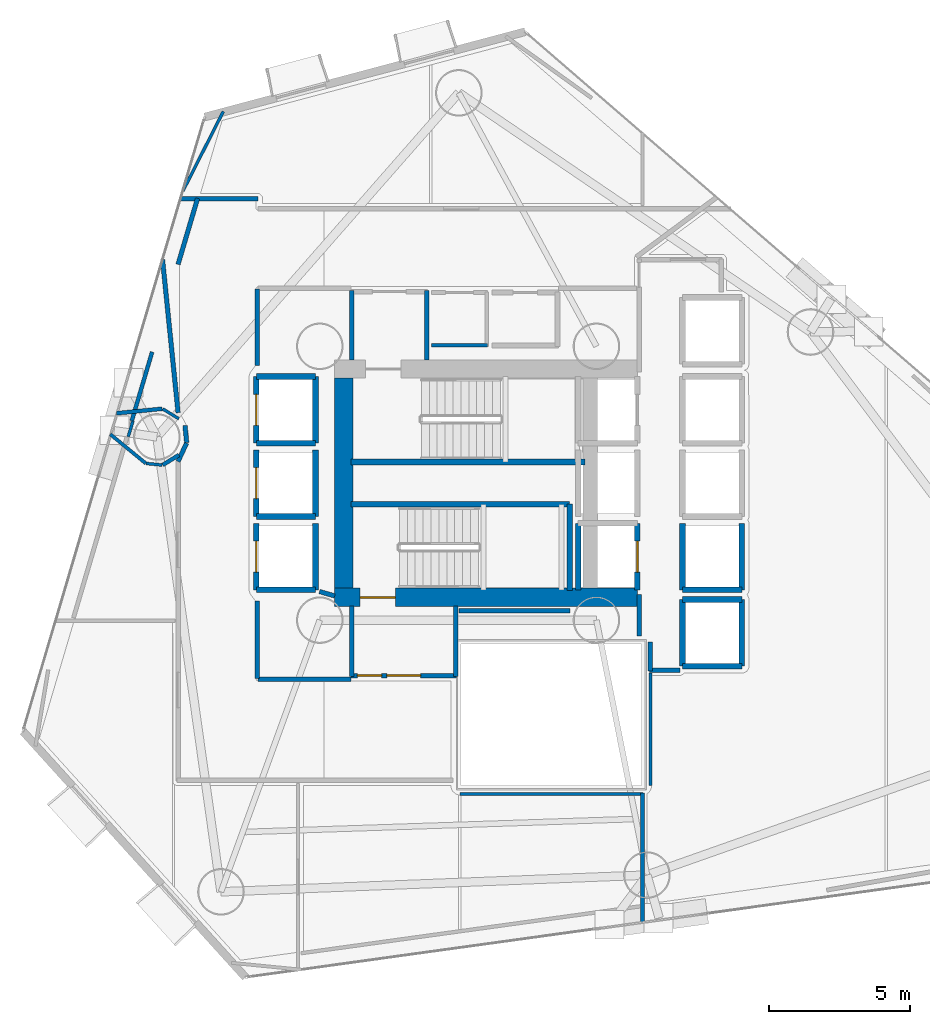
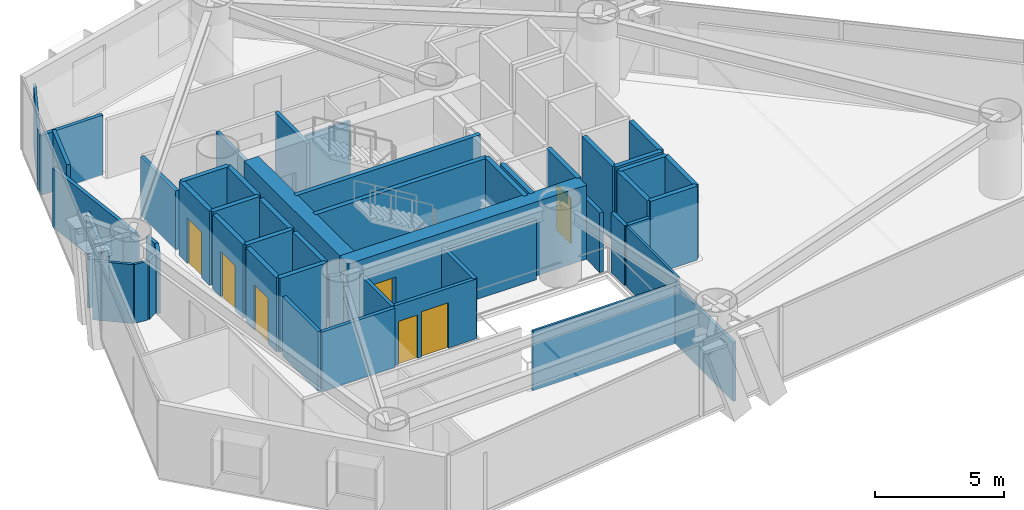
# One storey, part 17 of 23: 54 walls, 7 doors, 7 openings.
"""IFC4 building model written with IfcOpenShell, lengths in metres."""

import ifcopenshell
import ifcopenshell.guid

model = None  # the IFC model being written
_history = None  # IfcOwnerHistory: only IFC2X3 demands one
_inside = {}  # id of a spatial element -> (the spatial element, [elements in it])
_under = {}  # id of a project, library or spatial element -> (it, [spatial elements below it])
_declared = {}  # id of a project -> (the project, [libraries it declares])
_typed = {}  # id of a type object -> (the type object, [elements of that type])
_made_of = {}  # id of a material, layer set ... -> (it, [elements and type objects made of it])


def new_model(schema):
    """Start an empty IFC model of exactly this schema.

    Asked for "IFC4X3", IfcOpenShell would pick the latest addendum, in which some entities
    have other attributes; the version numbers below select the first issue.
    IFC2X3 requires an IfcOwnerHistory on every rooted entity: one is made here for all.
    """
    global model, _history
    if schema == "IFC4X3":
        model = ifcopenshell.file(schema_version=(4, 3, 0, 0))
    else:
        model = ifcopenshell.file(schema=schema)
    _inside.clear()
    _under.clear()
    _declared.clear()
    _typed.clear()
    _made_of.clear()
    _history = None
    if model.schema == "IFC2X3":
        org = make("IfcOrganization", Name="unknown")
        user = make(
            "IfcPersonAndOrganization",
            ThePerson=make("IfcPerson", FamilyName="unknown"),
            TheOrganization=org,
        )
        app = make(
            "IfcApplication",
            ApplicationDeveloper=org,
            Version="unknown",
            ApplicationFullName="unknown",
            ApplicationIdentifier="unknown",
        )
        _history = make(
            "IfcOwnerHistory",
            OwningUser=user,
            OwningApplication=app,
            ChangeAction="ADDED",
            CreationDate=0,
        )
    return model


def make(cls, **values):
    """One entity of the class cls with the attributes given. An attribute that is None is left unset."""
    return model.create_entity(
        cls, **{name: value for name, value in values.items() if value is not None}
    )


def rooted(cls, **values):
    """An entity with a GlobalId (a new one), such as an element, a storey or a relation."""
    return make(cls, GlobalId=ifcopenshell.guid.new(), OwnerHistory=_history, **values)


def si_unit(unit_type, name, prefix=None):
    """IfcSIUnit, for example si_unit("LENGTHUNIT", "METRE", prefix="MILLI")."""
    return make("IfcSIUnit", UnitType=unit_type, Prefix=prefix, Name=name)


def assignment(units):
    """IfcUnitAssignment: the units of a project."""
    return None if units is None else make("IfcUnitAssignment", Units=units)


def point(xyz):
    """IfcCartesianPoint."""
    return None if xyz is None else make("IfcCartesianPoint", Coordinates=xyz)


def direction(xyz):
    """IfcDirection."""
    return None if xyz is None else make("IfcDirection", DirectionRatios=xyz)


def frame(location, z_axis=None, x_axis=None):
    """IfcAxis2Placement3D, a coordinate frame: its origin and axes. An axis left out is left unset."""
    return make(
        "IfcAxis2Placement3D",
        Location=point(location),
        Axis=direction(z_axis),
        RefDirection=direction(x_axis),
    )


def frame_2d(location, x_axis=None):
    """IfcAxis2Placement2D, a coordinate frame in the plane: its origin and x axis."""
    return make(
        "IfcAxis2Placement2D", Location=point(location), RefDirection=direction(x_axis)
    )


def origin():
    """The frame at (0, 0, 0) with its axes left unset."""
    return frame((0.0, 0.0, 0.0))


def place(relative_to, where):
    """IfcLocalPlacement: puts the frame where relative to a parent placement (None: the world)."""
    return make(
        "IfcLocalPlacement", PlacementRelTo=relative_to, RelativePlacement=where
    )


def context(
    kind, dimensions, precision=None, world=None, true_north=None, identifier=None
):
    """IfcGeometricRepresentationContext, for example the 3D "Model" context."""
    return make(
        "IfcGeometricRepresentationContext",
        ContextIdentifier=identifier,
        ContextType=kind,
        CoordinateSpaceDimension=dimensions,
        Precision=precision,
        WorldCoordinateSystem=world,
        TrueNorth=true_north,
    )


def subcontext(parent, identifier, kind, view, scale=None):
    """IfcGeometricRepresentationSubContext, for example "Body" below "Model"."""
    return make(
        "IfcGeometricRepresentationSubContext",
        ContextIdentifier=identifier,
        ContextType=kind,
        ParentContext=parent,
        TargetScale=scale,
        TargetView=view,
    )


def project(units=None, contexts=None):
    """IfcProject with its units and contexts."""
    return rooted(
        "IfcProject",
        Name="project",
        RepresentationContexts=contexts,
        UnitsInContext=assignment(units),
    )


def spatial(cls, under=None, at=None, **own):
    """A site, building, storey or space (cls), placed at a placement, below another one or the project."""
    s = rooted(cls, ObjectPlacement=at, **own)
    if under is not None:
        _under.setdefault(under.id(), (under, []))[1].append(s)
    return s


def profile(cls, at=None, kind="AREA", **sizes):
    """A parametric profile (cls). Its sizes go by their IFC names, for example OverallWidth=200.0."""
    return make(cls, ProfileType=kind, Position=at, **sizes)


def rectangle(**sizes):
    """IfcRectangleProfileDef."""
    return profile("IfcRectangleProfileDef", **sizes)


def extrude(swept, where, along, depth):
    """IfcExtrudedAreaSolid: the profile swept, set in the frame where, extruded along a direction by depth."""
    return make(
        "IfcExtrudedAreaSolid",
        SweptArea=swept,
        Position=where,
        ExtrudedDirection=direction(along),
        Depth=depth,
    )


def shape(context_of_items, identifier, shape_type, items):
    """IfcShapeRepresentation: the items that make up one representation, for example the "Body"."""
    return make(
        "IfcShapeRepresentation",
        ContextOfItems=context_of_items,
        RepresentationIdentifier=identifier,
        RepresentationType=shape_type,
        Items=items,
    )


def material(Name=None, Category=None):
    """IfcMaterial."""
    return make("IfcMaterial", Name=Name, Category=Category)


def layer(
    of_material, thickness, ventilated=None, Name=None, Category=None, Priority=None
):
    """IfcMaterialLayer: one layer of a wall or slab, of a material (None: an air gap)."""
    return make(
        "IfcMaterialLayer",
        Material=of_material,
        LayerThickness=thickness,
        IsVentilated=ventilated,
        Name=Name,
        Category=Category,
        Priority=Priority,
    )


def layer_set(layers, Name=None):
    """IfcMaterialLayerSet."""
    return make("IfcMaterialLayerSet", MaterialLayers=layers, LayerSetName=Name)


def made_of(thing, what):
    """Note that an element or type object is made of a material, layer set ...; save() writes the relation."""
    if what is not None:
        _made_of.setdefault(what.id(), (what, []))[1].append(thing)
    return thing


def type_object(cls, material=None, **own):
    """A type object (cls), such as IfcWallType, which elements share."""
    return made_of(rooted(cls, **own), material)


def element(
    cls,
    number,
    at=None,
    inside=None,
    cuts=None,
    type_object=None,
    material=None,
    context=None,
    identifier="Body",
    shape_type=None,
    held_by="IfcProductDefinitionShape",
    body=None,
    shapes=None,
    **own,
):
    """One element of the class cls, such as IfcWall. Its Tag is "e" and its number.

    at: its placement. inside: the storey or other place that contains it. cuts: it is an
    opening in that element (IfcRelVoidsElement). A single representation is given by context,
    identifier, shape_type and body (its items); several are given by shapes. held_by: the class
    of the entity that holds the representations. save() writes the other relations.
    """
    e = rooted(cls, Tag="e%d" % number, ObjectPlacement=at, **own)
    if body is not None:
        shapes = [shape(context, identifier, shape_type, body)]
    if shapes is not None:
        e.Representation = make(held_by, Representations=shapes)
    if inside is not None:
        _inside.setdefault(inside.id(), (inside, []))[1].append(e)
    if cuts is not None:
        rooted(
            "IfcRelVoidsElement", RelatingBuildingElement=cuts, RelatedOpeningElement=e
        )
    if type_object is not None:
        _typed.setdefault(type_object.id(), (type_object, []))[1].append(e)
    return made_of(e, material)


def fill(opening, filler):
    """IfcRelFillsElement: the door or window that sits in an opening."""
    return rooted(
        "IfcRelFillsElement",
        RelatingOpeningElement=opening,
        RelatedBuildingElement=filler,
    )


def aggregate(whole, parts):
    """IfcRelAggregates: a whole, such as a stair, and the parts it consists of."""
    return rooted("IfcRelAggregates", RelatingObject=whole, RelatedObjects=parts)


def save(model, path):
    """Write the relations noted so far, then the file.

    IfcRelAggregates (storeys below a building ...), IfcRelContainedInSpatialStructure (elements
    in a storey), IfcRelDefinesByType, IfcRelAssociatesMaterial and IfcRelDeclares: one each for
    every whole, place, type object, material and project.
    """
    for whole, parts in _under.values():
        aggregate(whole, parts)
    for where, things in _inside.values():
        rooted(
            "IfcRelContainedInSpatialStructure",
            RelatedElements=things,
            RelatingStructure=where,
        )
    for kind, things in _typed.values():
        rooted("IfcRelDefinesByType", RelatedObjects=things, RelatingType=kind)
    for what, things in _made_of.values():
        rooted("IfcRelAssociatesMaterial", RelatedObjects=things, RelatingMaterial=what)
    for by, libraries in _declared.values():
        rooted("IfcRelDeclares", RelatingContext=by, RelatedDefinitions=libraries)
    model.write(path)


model = new_model("IFC4")

# Units and contexts
model_context = context("Model", 3, precision=1e-05, world=origin(), true_north=direction((0.0, 1.0)))
body_context = subcontext(model_context, "Body", "Model", "MODEL_VIEW")
ifc_project = project(units=[si_unit("LENGTHUNIT", "METRE"), si_unit("AREAUNIT", "SQUARE_METRE"), si_unit("VOLUMEUNIT", "CUBIC_METRE"), si_unit("PLANEANGLEUNIT", "RADIAN"), si_unit("MASSUNIT", "GRAM", prefix="KILO")], contexts=[model_context])

# Site, building, storey
site_placement = place(None, origin())
site = spatial("IfcSite", under=ifc_project, at=site_placement, CompositionType="ELEMENT")
building_placement = place(site_placement, origin())
building = spatial("IfcBuilding", under=site, at=building_placement, Name="Qianvela Tower", CompositionType="ELEMENT")
storey_placement = place(building_placement, frame((0.0, 0.0, 74.699951171875)))
storey = spatial("IfcBuildingStorey", under=building, at=storey_placement, Name="L18", CompositionType="ELEMENT", Elevation=74.699951171875)

# Wall, opening, door
ifc_material_1 = material(Name="Concrete C60", Category="concrete")
ifc_layer_1 = layer(ifc_material_1, 0.64990234375)
ifc_layer_set_1 = layer_set([ifc_layer_1], Name="Concrete C60")
wall_type_1 = type_object("IfcWallType", Name="WT-CORE-650", PredefinedType="SHEAR", material=ifc_layer_set_1)
wall_1_placement = place(storey_placement, frame((29.1298828125, 24.655029296875, 0.0), z_axis=(0.0, 0.0, 1.0), x_axis=(1.0, 0.0, 0.0)))
wall_1 = element("IfcWall", 1, at=wall_1_placement, inside=storey, type_object=wall_type_1, Name="L18 South Core Shear Wall", PredefinedType="SHEAR", context=body_context, shape_type="SweptSolid", body=[
    extrude(rectangle(XDim=10.72021484375, YDim=0.64990234375, at=frame_2d((5.360107421875, 0.0))), origin(), (0.0, 0.0, 1.0), 3.52001953125),
])
opening_1_placement = place(wall_1_placement, frame((0.89501953125, 0.0, 0.0)))
opening_1 = element("IfcOpeningElement", 2, at=opening_1_placement, cuts=wall_1, Name="Opening D-ST1", PredefinedType="OPENING", context=body_context, shape_type="SweptSolid", body=[
    extrude(rectangle(XDim=1.25, YDim=2.14990234375, at=frame_2d((0.625, 1.074951171875))), frame((0.0, 0.3349609375, 0.0), z_axis=(0.0, -1.0, 0.0), x_axis=(1.0, 0.0, 0.0)), (0.0, 0.0, 1.0), 0.669921875),
])
ifc_material_2 = material(Name="Galvanised Fire Steel Q355B", Category="steel")
door_type_1 = type_object("IfcDoorType", Name="DT-STAIR-FD90", OperationType="NOTDEFINED", PredefinedType="DOOR", material=ifc_material_2)
door_1_placement = place(opening_1_placement, origin())
door_1 = element("IfcDoor", 3, at=door_1_placement, inside=storey, type_object=door_type_1, Name="L18 Stair ST-2 Exit Door", OperationType="SINGLE_SWING_RIGHT", OverallHeight=2.14990234375, OverallWidth=1.25, PredefinedType="DOOR", context=body_context, shape_type="SweptSolid", body=[
    extrude(rectangle(XDim=1.25, YDim=2.14990234375, at=frame_2d((0.625, 1.074951171875))), frame((0.0, 0.02490234375, 0.0), z_axis=(0.0, -1.0, 0.0), x_axis=(1.0, 0.0, 0.0)), (0.0, 0.0, 1.0), 0.050048828125),
])
fill(opening_1, door_1)

# Walls
wall_2_placement = place(storey_placement, frame((29.455078125, 24.97998046875, 0.0), z_axis=(0.0, 0.0, 1.0), x_axis=(0.0, 1.0, 0.0)))
element("IfcWall", 4, at=wall_2_placement, inside=storey, type_object=wall_type_1, Name="L18 West Core Shear Wall", PredefinedType="SHEAR", context=body_context, shape_type="SweptSolid", body=[
    extrude(rectangle(XDim=7.43994140625, YDim=0.64990234375, at=frame_2d((3.719970703125, 0.0))), origin(), (0.0, 0.0, 1.0), 3.52001953125),
])
ifc_material_3 = material(Name="Fire-Rated Gypsum and Concrete Block", Category="concrete")
ifc_layer_2 = layer(ifc_material_3, 0.159912109375)
ifc_layer_set_2 = layer_set([ifc_layer_2], Name="Fire-Rated Gypsum and Concrete Block")
wall_type_2 = type_object("IfcWallType", Name="WT-CORR-160", PredefinedType="PARTITIONING", material=ifc_layer_set_2)
for number, where, z_axis, x_axis, name in (
    (5, (29.73095703125, 33.05810546875, 0.0), (0.0, 0.0, 1.0), (0.0, 1.0, 0.0), "L18 Partition 2"),
    (6, (32.388916015625, 35.52001953125, 0.0), (0.0, 0.0, 1.0), (0.0, -1.0, 0.0), "L18 Partition 4"),
):
    element("IfcWall", number, at=place(storey_placement, frame(where, z_axis=z_axis, x_axis=x_axis)), inside=storey, type_object=wall_type_2, Name=name, PredefinedType="PARTITIONING", context=body_context, shape_type="SweptSolid", body=[
        extrude(rectangle(XDim=2.4619140625, YDim=0.159912109375, at=frame_2d((1.23095703125, 0.0))), origin(), (0.0, 0.0, 1.0), 2.840087890625),
    ])

# Wall, openings, doors
wall_3_placement = place(storey_placement, frame((33.449951171875, 21.881103515625, 0.0), z_axis=(0.0, 0.0, 1.0), x_axis=(-1.0, 0.0, 0.0)))
wall_3 = element("IfcWall", 7, at=wall_3_placement, inside=storey, type_object=wall_type_2, Name="L18 Partition 5", PredefinedType="PARTITIONING", context=body_context, shape_type="SweptSolid", body=[
    extrude(rectangle(XDim=3.75, YDim=0.159912109375, at=frame_2d((1.875, 0.0))), origin(), (0.0, 0.0, 1.0), 2.840087890625),
])
opening_2_placement = place(wall_3_placement, frame((1.27490234375, 0.0, 0.0)))
opening_2 = element("IfcOpeningElement", 8, at=opening_2_placement, cuts=wall_3, Name="Opening D-LB1", PredefinedType="OPENING", context=body_context, shape_type="SweptSolid", body=[
    extrude(rectangle(XDim=1.199951171875, YDim=2.14990234375, at=frame_2d((0.60009765625, 1.074951171875))), frame((0.0, 0.08984375, 0.0), z_axis=(0.0, -1.0, 0.0), x_axis=(1.0, 0.0, 0.0)), (0.0, 0.0, 1.0), 0.179931640625),
])
opening_3_placement = place(wall_3_placement, frame((2.659912109375, 0.0, 0.0)))
opening_3 = element("IfcOpeningElement", 9, at=opening_3_placement, cuts=wall_3, Name="Opening D-LB2", PredefinedType="OPENING", context=body_context, shape_type="SweptSolid", body=[
    extrude(rectangle(XDim=0.860107421875, YDim=2.050048828125, at=frame_2d((0.43017578125, 1.02490234375))), frame((0.0, 0.08984375, 0.0), z_axis=(0.0, -1.0, 0.0), x_axis=(1.0, 0.0, 0.0)), (0.0, 0.0, 1.0), 0.179931640625),
])
ifc_material_4 = material(Name="Glazed Fire-Rated Steel Frame", Category="steel")
door_type_2 = type_object("IfcDoorType", Name="DT-LOBBY-FD90", OperationType="NOTDEFINED", PredefinedType="DOOR", material=ifc_material_4)
door_2_placement = place(opening_2_placement, origin())
door_2 = element("IfcDoor", 10, at=door_2_placement, inside=storey, type_object=door_type_2, Name="L18 Door L18 Firefighting Lobby South to L18 Floor Corridor", OperationType="SINGLE_SWING_LEFT", OverallHeight=2.14990234375, OverallWidth=1.199951171875, PredefinedType="DOOR", context=body_context, shape_type="SweptSolid", body=[
    extrude(rectangle(XDim=1.199951171875, YDim=2.14990234375, at=frame_2d((0.60009765625, 1.074951171875))), frame((0.0, 0.02490234375, 0.0), z_axis=(0.0, -1.0, 0.0), x_axis=(1.0, 0.0, 0.0)), (0.0, 0.0, 1.0), 0.050048828125),
])
fill(opening_2, door_2)
ifc_material_5 = material(Name="Insulated Steel Fire Door Q355B", Category="steel")
door_type_3 = type_object("IfcDoorType", Name="DT-LOBBY-FD90-860", OperationType="NOTDEFINED", PredefinedType="DOOR", material=ifc_material_5)
door_3_placement = place(opening_3_placement, origin())
door_3 = element("IfcDoor", 11, at=door_3_placement, inside=storey, type_object=door_type_3, Name="L18 Door L18 Firefighting Lobby South to L18 Floor Corridor", OperationType="SINGLE_SWING_LEFT", OverallHeight=2.050048828125, OverallWidth=0.860107421875, PredefinedType="DOOR", context=body_context, shape_type="SweptSolid", body=[
    extrude(rectangle(XDim=0.860107421875, YDim=2.050048828125, at=frame_2d((0.43017578125, 1.02490234375))), frame((0.0, 0.02490234375, 0.0), z_axis=(0.0, -1.0, 0.0), x_axis=(1.0, 0.0, 0.0)), (0.0, 0.0, 1.0), 0.050048828125),
])
fill(opening_3, door_3)

# Walls
for number, where, z_axis, x_axis, name in (
    (12, (29.73095703125, 21.85009765625, 0.0), (0.0, 0.0, 1.0), (0.0, 1.0, 0.0), "L18 Partition 6"),
    (13, (33.4189453125, 24.342041015625, 0.0), (0.0, 0.0, 1.0), (0.0, -1.0, 0.0), "L18 Partition 8"),
):
    element("IfcWall", number, at=place(storey_placement, frame(where, z_axis=z_axis, x_axis=x_axis)), inside=storey, type_object=wall_type_2, Name=name, PredefinedType="PARTITIONING", context=body_context, shape_type="SweptSolid", body=[
        extrude(rectangle(XDim=2.491943359375, YDim=0.159912109375, at=frame_2d((1.24609375, 0.0))), origin(), (0.0, 0.0, 1.0), 2.840087890625),
    ])
wall_4_placement = place(storey_placement, frame((41.360107421875, 22.0810546875, 0.0), z_axis=(0.0, 0.0, 1.0), x_axis=(-1.0, 0.0, 0.0)))
element("IfcWall", 14, at=wall_4_placement, inside=storey, type_object=wall_type_2, Name="L18 Partition 15", PredefinedType="PARTITIONING", context=body_context, shape_type="SweptSolid", body=[
    extrude(rectangle(XDim=1.080078125, YDim=0.159912109375, at=frame_2d((0.5400390625, 0.0))), origin(), (0.0, 0.0, 1.0), 2.840087890625),
])
wall_5_placement = place(storey_placement, frame((40.31103515625, 22.05029296875, 0.0), z_axis=(0.0, 0.0, 1.0), x_axis=(-0.011836292006, 0.999929948642, 0.0)))
element("IfcWall", 15, at=wall_5_placement, inside=storey, type_object=wall_type_2, Name="L18 Partition 16", PredefinedType="PARTITIONING", context=body_context, shape_type="SweptSolid", body=[
    extrude(rectangle(XDim=1.03125, YDim=0.159912109375, at=frame_2d((0.515625, 0.0))), origin(), (0.0, 0.0, 1.0), 2.840087890625),
])
wall_6_placement = place(storey_placement, frame((39.910888671875, 23.27978515625, 0.0), z_axis=(0.0, 0.0, 1.0), x_axis=(0.009397771291, 0.999955839972, 0.0)))
element("IfcWall", 16, at=wall_6_placement, inside=storey, type_object=wall_type_2, Name="L18 Partition 17", PredefinedType="PARTITIONING", context=body_context, shape_type="SweptSolid", body=[
    extrude(rectangle(XDim=1.480712890625, YDim=0.159912109375, at=frame_2d((0.740234375, 0.0))), origin(), (0.0, 0.0, 1.0), 2.840087890625),
])
wall_7_placement = place(storey_placement, frame((29.1298828125, 24.706298828125, 0.0), z_axis=(0.0, 0.0, 1.0), x_axis=(-0.960451214223, 0.278448316742, 0.0)))
element("IfcWall", 17, at=wall_7_placement, inside=storey, type_object=wall_type_2, Name="L18 Partition 31", PredefinedType="PARTITIONING", context=body_context, shape_type="SweptSolid", body=[
    extrude(rectangle(XDim=0.56201171875, YDim=0.159912109375, at=frame_2d((0.281005859375, 0.0))), origin(), (0.0, 0.0, 1.0), 2.840087890625),
])
wall_8_placement = place(storey_placement, frame((37.466552734375, 24.180908203125, 0.0), z_axis=(0.0, 0.0, 1.0), x_axis=(-1.0, 0.0, 0.0)))
element("IfcWall", 18, at=wall_8_placement, inside=storey, type_object=wall_type_2, Name="L18 Partition 38", PredefinedType="PARTITIONING", context=body_context, shape_type="SweptSolid", body=[
    extrude(rectangle(XDim=3.9365234375, YDim=0.159912109375, at=frame_2d((1.96826171875, 0.0))), origin(), (0.0, 0.0, 1.0), 2.840087890625),
])
wall_9_placement = place(storey_placement, frame((23.5810546875, 31.197265625, 0.0), z_axis=(0.0, 0.0, 1.0), x_axis=(-0.101076980701, 0.994878607656, 0.0)))
element("IfcWall", 19, at=wall_9_placement, inside=storey, type_object=wall_type_2, Name="L18 Partition 39", PredefinedType="PARTITIONING", context=body_context, shape_type="SweptSolid", body=[
    extrude(rectangle(XDim=5.453857421875, YDim=0.159912109375, at=frame_2d((2.72705078125, 0.0))), origin(), (0.0, 0.0, 1.0), 2.798095703125),
])
wall_10_placement = place(storey_placement, frame((23.57958984375, 36.45166015625, 0.0), z_axis=(0.0, 0.0, 1.0), x_axis=(0.283774880496, 0.958890930815, 0.0)))
element("IfcWall", 20, at=wall_10_placement, inside=storey, type_object=wall_type_2, Name="L18 Partition 40", PredefinedType="PARTITIONING", context=body_context, shape_type="SweptSolid", body=[
    extrude(rectangle(XDim=2.43994140625, YDim=0.159912109375, at=frame_2d((1.219970703125, 0.0))), origin(), (0.0, 0.0, 1.0), 2.840087890625),
])
wall_11_placement = place(storey_placement, frame((23.64453125, 38.76904296875, 0.0), z_axis=(0.0, 0.0, 1.0), x_axis=(1.0, 0.0, 0.0)))
element("IfcWall", 21, at=wall_11_placement, inside=storey, type_object=wall_type_2, Name="L18 Partition 41", PredefinedType="PARTITIONING", context=body_context, shape_type="SweptSolid", body=[
    extrude(rectangle(XDim=2.775390625, YDim=0.159912109375, at=frame_2d((1.3876953125, 0.0))), origin(), (0.0, 0.0, 1.0), 2.840087890625),
])
wall_12_placement = place(storey_placement, frame((26.388916015625, 35.580078125, 0.0), z_axis=(0.0, 0.0, 1.0), x_axis=(0.0, -1.0, 0.0)))
element("IfcWall", 22, at=wall_12_placement, inside=storey, type_object=wall_type_2, Name="L18 Partition 46", PredefinedType="PARTITIONING", context=body_context, shape_type="SweptSolid", body=[
    extrude(rectangle(XDim=2.71044921875, YDim=0.159912109375, at=frame_2d((1.355224609375, 0.0))), origin(), (0.0, 0.0, 1.0), 2.798095703125),
])
wall_13_placement = place(storey_placement, frame((26.388916015625, 24.530517578125, 0.0), z_axis=(0.0, 0.0, 1.0), x_axis=(0.0, -1.0, 0.0)))
element("IfcWall", 23, at=wall_13_placement, inside=storey, type_object=wall_type_2, Name="L18 Partition 48", PredefinedType="PARTITIONING", context=body_context, shape_type="SweptSolid", body=[
    extrude(rectangle(XDim=2.75048828125, YDim=0.159912109375, at=frame_2d((1.375244140625, 0.0))), origin(), (0.0, 0.0, 1.0), 2.840087890625),
])
wall_14_placement = place(storey_placement, frame((26.419921875, 21.7490234375, 0.0), z_axis=(0.0, 0.0, 1.0), x_axis=(1.0, 0.0, 0.0)))
element("IfcWall", 24, at=wall_14_placement, inside=storey, type_object=wall_type_2, Name="L18 Partition 49 seg 1", PredefinedType="PARTITIONING", context=body_context, shape_type="SweptSolid", body=[
    extrude(rectangle(XDim=3.280029296875, YDim=0.159912109375, at=frame_2d((1.64013671875, 0.0))), origin(), (0.0, 0.0, 1.0), 2.840087890625),
])
wall_15_placement = place(storey_placement, frame((23.578125, 29.4697265625, 0.0), z_axis=(0.0, 0.0, 1.0), x_axis=(0.421827918194, 0.906675910914, 0.0)))
element("IfcWall", 25, at=wall_15_placement, inside=storey, type_object=wall_type_2, Name="L18 Partition 52", PredefinedType="PARTITIONING", context=body_context, shape_type="SweptSolid", body=[
    extrude(rectangle(XDim=0.720458984375, YDim=0.159912109375, at=frame_2d((0.3603515625, 0.0))), origin(), (0.0, 0.0, 1.0), 2.840087890625),
])
wall_16_placement = place(storey_placement, frame((23.884765625, 30.13916015625, 0.0), z_axis=(0.0, 0.0, 1.0), x_axis=(-0.0981888168, 0.995167803064, 0.0)))
element("IfcWall", 26, at=wall_16_placement, inside=storey, type_object=wall_type_2, Name="L18 Partition 53", PredefinedType="PARTITIONING", context=body_context, shape_type="SweptSolid", body=[
    extrude(rectangle(XDim=0.606689453125, YDim=0.159912109375, at=frame_2d((0.30322265625, 0.0))), origin(), (0.0, 0.0, 1.0), 2.840087890625),
])
ifc_material_6 = material(Name="Lightweight Gypsum Room Partition")
ifc_layer_3 = layer(ifc_material_6, 0.10498046875)
ifc_layer_set_3 = layer_set([ifc_layer_3], Name="Lightweight Gypsum Room Partition")
wall_type_3 = type_object("IfcWallType", Name="WT-PART-105", PredefinedType="PARTITIONING", material=ifc_layer_set_3)
wall_17_placement = place(storey_placement, frame((33.572509765625, 17.690185546875, 0.0), z_axis=(0.0, 0.0, 1.0), x_axis=(0.999999687544, 0.000790513587, 0.0)))
element("IfcWall", 27, at=wall_17_placement, inside=storey, type_object=wall_type_3, Name="L18 Partition 61", PredefinedType="PARTITIONING", context=body_context, shape_type="SweptSolid", body=[
    extrude(rectangle(XDim=6.485595703125, YDim=0.10498046875, at=frame_2d((3.24267578125, 0.0))), origin(), (0.0, 0.0, 1.0), 2.840087890625),
])
wall_18_placement = place(storey_placement, frame((40.31103515625, 18.0, 0.0), z_axis=(0.0, 0.0, 1.0), x_axis=(0.0, 1.0, 0.0)))
element("IfcWall", 28, at=wall_18_placement, inside=storey, type_object=wall_type_3, Name="L18 Partition 73 seg 1", PredefinedType="PARTITIONING", context=body_context, shape_type="SweptSolid", body=[
    extrude(rectangle(XDim=3.969970703125, YDim=0.10498046875, at=frame_2d((1.98486328125, 0.0))), origin(), (0.0, 0.0, 1.0), 2.840087890625),
])
wall_19_placement = place(storey_placement, frame((23.7431640625, 39.03466796875, 0.0), z_axis=(0.0, 0.0, 1.0), x_axis=(0.452766588837, 0.891629079849, 0.0)))
element("IfcWall", 29, at=wall_19_placement, inside=storey, type_object=wall_type_3, Name="L18 Partition 85", PredefinedType="PARTITIONING", context=body_context, shape_type="SweptSolid", body=[
    extrude(rectangle(XDim=3.17822265625, YDim=0.10498046875, at=frame_2d((1.589111328125, 0.0))), origin(), (0.0, 0.0, 1.0), 2.840087890625),
])
wall_20_placement = place(storey_placement, frame((23.6083984375, 30.981689453125, 0.0), z_axis=(0.0, 0.0, 1.0), x_axis=(-0.852045812822, 0.523467222328, 0.0)))
element("IfcWall", 30, at=wall_20_placement, inside=storey, type_object=wall_type_3, Name="L18 Partition 88", PredefinedType="PARTITIONING", context=body_context, shape_type="SweptSolid", body=[
    extrude(rectangle(XDim=0.670166015625, YDim=0.10498046875, at=frame_2d((0.3349609375, 0.0))), origin(), (0.0, 0.0, 1.0), 2.798095703125),
])
for number, where, z_axis, x_axis, name in (
    (31, (21.980224609375, 30.896240234375, 0.0), (0.0, 0.0, 1.0), (-0.290362912899, -0.956916599716, 0.0), "L18 Partition 91"),
    (32, (22.448974609375, 29.399169921875, 0.0), (0.0, 0.0, 1.0), (0.995167364461, -0.098193262045, 0.0), "L18 Partition 94"),
):
    element("IfcWall", number, at=place(storey_placement, frame(where, z_axis=z_axis, x_axis=x_axis)), inside=storey, type_object=wall_type_3, Name=name, PredefinedType="PARTITIONING", context=body_context, shape_type="SweptSolid", body=[
        extrude(rectangle(XDim=0.57177734375, YDim=0.10498046875, at=frame_2d((0.285888671875, 0.0))), origin(), (0.0, 0.0, 1.0), 2.798095703125),
    ])
ifc_material_7 = material(Name="Insulated Gypsum Stud Partition")
ifc_layer_4 = layer(ifc_material_7, 0.1201171875)
ifc_layer_set_4 = layer_set([ifc_layer_4], Name="Insulated Gypsum Stud Partition")
wall_type_4 = type_object("IfcWallType", Name="WT-PART-120", PredefinedType="PARTITIONING", material=ifc_layer_set_4)
wall_21_placement = place(storey_placement, frame((34.550048828125, 33.5810546875, 0.0), z_axis=(0.0, 0.0, 1.0), x_axis=(-1.0, 0.0, 0.0)))
element("IfcWall", 33, at=wall_21_placement, inside=storey, type_object=wall_type_4, Name="L18 Partition 18", PredefinedType="PARTITIONING", context=body_context, shape_type="SweptSolid", body=[
    extrude(rectangle(XDim=2.0, YDim=0.1201171875, at=frame_2d((1.0, 0.0))), origin(), (0.0, 0.0, 1.0), 2.840087890625),
])
wall_22_placement = place(storey_placement, frame((21.1796875, 30.43408203125, 0.0), z_axis=(0.0, 0.0, 1.0), x_axis=(0.773003277833, -0.634402027471, 0.0)))
element("IfcWall", 34, at=wall_22_placement, inside=storey, type_object=wall_type_4, Name="L18 Partition 93", PredefinedType="PARTITIONING", context=body_context, shape_type="SweptSolid", body=[
    extrude(rectangle(XDim=1.62060546875, YDim=0.1201171875, at=frame_2d((0.810302734375, 0.0))), origin(), (0.0, 0.0, 1.0), 2.798095703125),
])
ifc_material_8 = material(Name="Acoustic Double Gypsum Stud Partition")
ifc_layer_5 = layer(ifc_material_8, 0.139892578125)
ifc_layer_set_5 = layer_set([ifc_layer_5], Name="Acoustic Double Gypsum Stud Partition")
wall_type_5 = type_object("IfcWallType", Name="WT-ROOM-140", PredefinedType="PARTITIONING", material=ifc_layer_set_5)
wall_23_placement = place(storey_placement, frame((40.027099609375, 17.726318359375, 0.0), z_axis=(0.0, 0.0, 1.0), x_axis=(0.0, -1.0, 0.0)))
element("IfcWall", 35, at=wall_23_placement, inside=storey, type_object=wall_type_5, Name="L18 Partition 62", PredefinedType="PARTITIONING", context=body_context, shape_type="SweptSolid", body=[
    extrude(rectangle(XDim=4.60595703125, YDim=0.139892578125, at=frame_2d((2.302978515625, 0.0))), origin(), (0.0, 0.0, 1.0), 2.798095703125),
])
wall_24_placement = place(storey_placement, frame((23.01806640625, 31.3369140625, 0.0), z_axis=(0.0, 0.0, 1.0), x_axis=(-0.995184697451, -0.098017437019, 0.0)))
element("IfcWall", 36, at=wall_24_placement, inside=storey, type_object=wall_type_5, Name="L18 Partition 89", PredefinedType="PARTITIONING", context=body_context, shape_type="SweptSolid", body=[
    extrude(rectangle(XDim=1.62646484375, YDim=0.139892578125, at=frame_2d((0.813232421875, 0.0))), origin(), (0.0, 0.0, 1.0), 2.798095703125),
])
wall_25_placement = place(storey_placement, frame((23.037353515625, 29.347412109375, 0.0), z_axis=(0.0, 0.0, 1.0), x_axis=(0.852045812822, 0.523467222328, 0.0)))
element("IfcWall", 37, at=wall_25_placement, inside=storey, type_object=wall_type_5, Name="L18 Partition 95", PredefinedType="PARTITIONING", context=body_context, shape_type="SweptSolid", body=[
    extrude(rectangle(XDim=0.670166015625, YDim=0.139892578125, at=frame_2d((0.3349609375, 0.0))), origin(), (0.0, 0.0, 1.0), 2.798095703125),
])
wall_26_placement = place(storey_placement, frame((21.93994140625, 30.908447265625, 0.0), z_axis=(0.0, 0.0, 1.0), x_axis=(0.283640865131, 0.958930581235, 0.0)))
element("IfcWall", 38, at=wall_26_placement, inside=storey, type_object=wall_type_5, Name="L18 Partition 98 seg 2", PredefinedType="PARTITIONING", context=body_context, shape_type="SweptSolid", body=[
    extrude(rectangle(XDim=2.545166015625, YDim=0.139892578125, at=frame_2d((1.2724609375, 0.0))), origin(), (0.0, 0.0, 1.0), 2.798095703125),
])
ifc_material_9 = material(Name="Concrete C50", Category="concrete")
ifc_layer_6 = layer(ifc_material_9, 0.199951171875)
ifc_layer_set_6 = layer_set([ifc_layer_6], Name="Concrete C50")
wall_type_6 = type_object("IfcWallType", Name="WT-SHAFT-200", PredefinedType="SOLIDWALL", material=ifc_layer_set_6)
wall_27_placement = place(storey_placement, frame((29.699951171875, 29.449951171875, 0.0), z_axis=(0.0, 0.0, 1.0), x_axis=(1.0, 0.0, 0.0)))
element("IfcWall", 39, at=wall_27_placement, inside=storey, type_object=wall_type_6, Name="L18 Stair ST-1 South Wall", PredefinedType="SOLIDWALL", context=body_context, shape_type="SweptSolid", body=[
    extrude(rectangle(XDim=8.300048828125, YDim=0.199951171875, at=frame_2d((4.14990234375, 0.0))), origin(), (0.0, 0.0, 1.0), 3.52001953125),
])
wall_28_placement = place(storey_placement, frame((29.699951171875, 27.9599609375, 0.0), z_axis=(0.0, 0.0, 1.0), x_axis=(1.0, 0.0, 0.0)))
element("IfcWall", 40, at=wall_28_placement, inside=storey, type_object=wall_type_6, Name="L18 Stair ST-2 North Wall", PredefinedType="SOLIDWALL", context=body_context, shape_type="SweptSolid", body=[
    extrude(rectangle(XDim=7.75, YDim=0.199951171875, at=frame_2d((3.875, 0.0))), origin(), (0.0, 0.0, 1.0), 3.52001953125),
])
wall_29_placement = place(storey_placement, frame((37.449951171875, 24.89990234375, 0.0), z_axis=(0.0, 0.0, 1.0), x_axis=(0.0, 1.0, 0.0)))
element("IfcWall", 41, at=wall_29_placement, inside=storey, type_object=wall_type_6, Name="L18 Stair ST-2 East Wall", PredefinedType="SOLIDWALL", context=body_context, shape_type="SweptSolid", body=[
    extrude(rectangle(XDim=3.06005859375, YDim=0.199951171875, at=frame_2d((1.530029296875, 0.0))), origin(), (0.0, 0.0, 1.0), 3.52001953125),
])

# Wall, opening, door
wall_30_placement = place(storey_placement, frame((39.85009765625, 24.919921875, 0.0), z_axis=(0.0, 0.0, 1.0), x_axis=(0.0, 1.0, 0.0)))
wall_30 = element("IfcWall", 42, at=wall_30_placement, inside=storey, type_object=wall_type_6, Name="L18 Lift FL-2 E Shaft Wall", PredefinedType="SOLIDWALL", context=body_context, shape_type="SweptSolid", body=[
    extrude(rectangle(XDim=2.360107421875, YDim=0.199951171875, at=frame_2d((1.18017578125, 0.0))), origin(), (0.0, 0.0, 1.0), 3.52001953125),
])
opening_4_placement = place(wall_30_placement, frame((0.6298828125, 0.0, 0.0)))
opening_4 = element("IfcOpeningElement", 43, at=opening_4_placement, cuts=wall_30, Name="Opening LD-01", PredefinedType="OPENING", context=body_context, shape_type="SweptSolid", body=[
    extrude(rectangle(XDim=1.10009765625, YDim=2.14990234375, at=frame_2d((0.550048828125, 1.074951171875))), frame((0.0, 0.10986328125, 0.0), z_axis=(0.0, -1.0, 0.0), x_axis=(1.0, 0.0, 0.0)), (0.0, 0.0, 1.0), 0.219970703125),
])
ifc_material_10 = material(Name="Brushed Stainless Steel Lift Landing Door", Category="steel")
door_type_4 = type_object("IfcDoorType", Name="DT-LIFT-SLIDE-1100", OperationType="SLIDING_TO_LEFT", PredefinedType="DOOR", material=ifc_material_10)
door_4_placement = place(opening_4_placement, origin())
door_4 = element("IfcDoor", 44, at=door_4_placement, inside=storey, type_object=door_type_4, Name="L18 Lift FL-2 Sliding Landing Door", OperationType="SLIDING_TO_LEFT", OverallHeight=2.14990234375, OverallWidth=1.10009765625, PredefinedType="DOOR", context=body_context, shape_type="SweptSolid", body=[
    extrude(rectangle(XDim=1.10009765625, YDim=2.14990234375, at=frame_2d((0.550048828125, 1.074951171875))), frame((0.0, 0.02490234375, 0.0), z_axis=(0.0, -1.0, 0.0), x_axis=(1.0, 0.0, 0.0)), (0.0, 0.0, 1.0), 0.050048828125),
])
fill(opening_4, door_4)

# Walls
wall_31_placement = place(storey_placement, frame((37.75, 24.919921875, 0.0), z_axis=(0.0, 0.0, 1.0), x_axis=(0.0, 1.0, 0.0)))
element("IfcWall", 45, at=wall_31_placement, inside=storey, type_object=wall_type_6, Name="L18 Lift FL-2 W Shaft Wall", PredefinedType="SOLIDWALL", context=body_context, shape_type="SweptSolid", body=[
    extrude(rectangle(XDim=2.360107421875, YDim=0.199951171875, at=frame_2d((1.18017578125, 0.0))), origin(), (0.0, 0.0, 1.0), 3.52001953125),
])
wall_32_placement = place(storey_placement, frame((28.449951171875, 30.1201171875, 0.0), z_axis=(0.0, 0.0, 1.0), x_axis=(0.0, 1.0, 0.0)))
element("IfcWall", 46, at=wall_32_placement, inside=storey, type_object=wall_type_6, Name="L18 Lift PL-L1 E Shaft Wall", PredefinedType="SOLIDWALL", context=body_context, shape_type="SweptSolid", body=[
    extrude(rectangle(XDim=2.35986328125, YDim=0.199951171875, at=frame_2d((1.179931640625, 0.0))), origin(), (0.0, 0.0, 1.0), 3.52001953125),
])

# Wall, opening, door
wall_33_placement = place(storey_placement, frame((26.35009765625, 30.1201171875, 0.0), z_axis=(0.0, 0.0, 1.0), x_axis=(0.0, 1.0, 0.0)))
wall_33 = element("IfcWall", 47, at=wall_33_placement, inside=storey, type_object=wall_type_6, Name="L18 Lift PL-L1 W Shaft Wall", PredefinedType="SOLIDWALL", context=body_context, shape_type="SweptSolid", body=[
    extrude(rectangle(XDim=2.35986328125, YDim=0.199951171875, at=frame_2d((1.179931640625, 0.0))), origin(), (0.0, 0.0, 1.0), 3.52001953125),
])
opening_5_placement = place(wall_33_placement, frame((0.6298828125, 0.0, 0.0)))
opening_5 = element("IfcOpeningElement", 48, at=opening_5_placement, cuts=wall_33, Name="Opening LD-01", PredefinedType="OPENING", context=body_context, shape_type="SweptSolid", body=[
    extrude(rectangle(XDim=1.10009765625, YDim=2.14990234375, at=frame_2d((0.550048828125, 1.074951171875))), frame((0.0, 0.10986328125, 0.0), z_axis=(0.0, -1.0, 0.0), x_axis=(1.0, 0.0, 0.0)), (0.0, 0.0, 1.0), 0.219970703125),
])
door_5_placement = place(opening_5_placement, origin())
door_5 = element("IfcDoor", 49, at=door_5_placement, inside=storey, type_object=door_type_4, Name="L18 Lift PL-L1 Sliding Landing Door", OperationType="SLIDING_TO_LEFT", OverallHeight=2.14990234375, OverallWidth=1.10009765625, PredefinedType="DOOR", context=body_context, shape_type="SweptSolid", body=[
    extrude(rectangle(XDim=1.10009765625, YDim=2.14990234375, at=frame_2d((0.550048828125, 1.074951171875))), frame((0.0, 0.02490234375, 0.0), z_axis=(0.0, -1.0, 0.0), x_axis=(1.0, 0.0, 0.0)), (0.0, 0.0, 1.0), 0.050048828125),
])
fill(opening_5, door_5)

# Walls
for number, where, z_axis, x_axis, name in (
    (50, (26.35009765625, 32.47998046875, 0.0), (0.0, 0.0, 1.0), (1.0, 0.0, 0.0), "L18 Lift PL-L1 N Shaft Wall"),
    (51, (26.35009765625, 30.1201171875, 0.0), (0.0, 0.0, 1.0), (1.0, 0.0, 0.0), "L18 Lift PL-L1 S Shaft Wall"),
):
    element("IfcWall", number, at=place(storey_placement, frame(where, z_axis=z_axis, x_axis=x_axis)), inside=storey, type_object=wall_type_6, Name=name, PredefinedType="SOLIDWALL", context=body_context, shape_type="SweptSolid", body=[
        extrude(rectangle(XDim=2.099853515625, YDim=0.199951171875, at=frame_2d((1.0498046875, 0.0))), origin(), (0.0, 0.0, 1.0), 3.52001953125),
    ])
wall_34_placement = place(storey_placement, frame((28.449951171875, 27.52001953125, 0.0), z_axis=(0.0, 0.0, 1.0), x_axis=(0.0, 1.0, 0.0)))
element("IfcWall", 52, at=wall_34_placement, inside=storey, type_object=wall_type_6, Name="L18 Lift PL-L2 E Shaft Wall", PredefinedType="SOLIDWALL", context=body_context, shape_type="SweptSolid", body=[
    extrude(rectangle(XDim=2.35986328125, YDim=0.199951171875, at=frame_2d((1.179931640625, 0.0))), origin(), (0.0, 0.0, 1.0), 3.52001953125),
])

# Wall, opening, door
wall_35_placement = place(storey_placement, frame((26.35009765625, 27.52001953125, 0.0), z_axis=(0.0, 0.0, 1.0), x_axis=(0.0, 1.0, 0.0)))
wall_35 = element("IfcWall", 53, at=wall_35_placement, inside=storey, type_object=wall_type_6, Name="L18 Lift PL-L2 W Shaft Wall", PredefinedType="SOLIDWALL", context=body_context, shape_type="SweptSolid", body=[
    extrude(rectangle(XDim=2.35986328125, YDim=0.199951171875, at=frame_2d((1.179931640625, 0.0))), origin(), (0.0, 0.0, 1.0), 3.52001953125),
])
opening_6_placement = place(wall_35_placement, frame((0.6298828125, 0.0, 0.0)))
opening_6 = element("IfcOpeningElement", 54, at=opening_6_placement, cuts=wall_35, Name="Opening LD-01", PredefinedType="OPENING", context=body_context, shape_type="SweptSolid", body=[
    extrude(rectangle(XDim=1.10009765625, YDim=2.14990234375, at=frame_2d((0.550048828125, 1.074951171875))), frame((0.0, 0.10986328125, 0.0), z_axis=(0.0, -1.0, 0.0), x_axis=(1.0, 0.0, 0.0)), (0.0, 0.0, 1.0), 0.219970703125),
])
door_6_placement = place(opening_6_placement, origin())
door_6 = element("IfcDoor", 55, at=door_6_placement, inside=storey, type_object=door_type_4, Name="L18 Lift PL-L2 Sliding Landing Door", OperationType="SLIDING_TO_LEFT", OverallHeight=2.14990234375, OverallWidth=1.10009765625, PredefinedType="DOOR", context=body_context, shape_type="SweptSolid", body=[
    extrude(rectangle(XDim=1.10009765625, YDim=2.14990234375, at=frame_2d((0.550048828125, 1.074951171875))), frame((0.0, 0.02490234375, 0.0), z_axis=(0.0, -1.0, 0.0), x_axis=(1.0, 0.0, 0.0)), (0.0, 0.0, 1.0), 0.050048828125),
])
fill(opening_6, door_6)

# Walls
wall_36_placement = place(storey_placement, frame((26.35009765625, 27.52001953125, 0.0), z_axis=(0.0, 0.0, 1.0), x_axis=(1.0, 0.0, 0.0)))
element("IfcWall", 56, at=wall_36_placement, inside=storey, type_object=wall_type_6, Name="L18 Lift PL-L2 S Shaft Wall", PredefinedType="SOLIDWALL", context=body_context, shape_type="SweptSolid", body=[
    extrude(rectangle(XDim=2.099853515625, YDim=0.199951171875, at=frame_2d((1.0498046875, 0.0))), origin(), (0.0, 0.0, 1.0), 3.52001953125),
])
wall_37_placement = place(storey_placement, frame((28.449951171875, 24.919921875, 0.0), z_axis=(0.0, 0.0, 1.0), x_axis=(0.0, 1.0, 0.0)))
element("IfcWall", 57, at=wall_37_placement, inside=storey, type_object=wall_type_6, Name="L18 Lift PL-L3 E Shaft Wall", PredefinedType="SOLIDWALL", context=body_context, shape_type="SweptSolid", body=[
    extrude(rectangle(XDim=2.360107421875, YDim=0.199951171875, at=frame_2d((1.18017578125, 0.0))), origin(), (0.0, 0.0, 1.0), 3.52001953125),
])

# Wall, opening, door
wall_38_placement = place(storey_placement, frame((26.35009765625, 24.919921875, 0.0), z_axis=(0.0, 0.0, 1.0), x_axis=(0.0, 1.0, 0.0)))
wall_38 = element("IfcWall", 58, at=wall_38_placement, inside=storey, type_object=wall_type_6, Name="L18 Lift PL-L3 W Shaft Wall", PredefinedType="SOLIDWALL", context=body_context, shape_type="SweptSolid", body=[
    extrude(rectangle(XDim=2.360107421875, YDim=0.199951171875, at=frame_2d((1.18017578125, 0.0))), origin(), (0.0, 0.0, 1.0), 3.52001953125),
])
opening_7_placement = place(wall_38_placement, frame((0.6298828125, 0.0, 0.0)))
opening_7 = element("IfcOpeningElement", 59, at=opening_7_placement, cuts=wall_38, Name="Opening LD-01", PredefinedType="OPENING", context=body_context, shape_type="SweptSolid", body=[
    extrude(rectangle(XDim=1.10009765625, YDim=2.14990234375, at=frame_2d((0.550048828125, 1.074951171875))), frame((0.0, 0.10986328125, 0.0), z_axis=(0.0, -1.0, 0.0), x_axis=(1.0, 0.0, 0.0)), (0.0, 0.0, 1.0), 0.219970703125),
])
door_7_placement = place(opening_7_placement, origin())
door_7 = element("IfcDoor", 60, at=door_7_placement, inside=storey, type_object=door_type_4, Name="L18 Lift PL-L3 Sliding Landing Door", OperationType="SLIDING_TO_LEFT", OverallHeight=2.14990234375, OverallWidth=1.10009765625, PredefinedType="DOOR", context=body_context, shape_type="SweptSolid", body=[
    extrude(rectangle(XDim=1.10009765625, YDim=2.14990234375, at=frame_2d((0.550048828125, 1.074951171875))), frame((0.0, 0.02490234375, 0.0), z_axis=(0.0, -1.0, 0.0), x_axis=(1.0, 0.0, 0.0)), (0.0, 0.0, 1.0), 0.050048828125),
])
fill(opening_7, door_7)

# Walls
wall_39_placement = place(storey_placement, frame((26.35009765625, 24.919921875, 0.0), z_axis=(0.0, 0.0, 1.0), x_axis=(1.0, 0.0, 0.0)))
element("IfcWall", 61, at=wall_39_placement, inside=storey, type_object=wall_type_6, Name="L18 Lift PL-L3 S Shaft Wall", PredefinedType="SOLIDWALL", context=body_context, shape_type="SweptSolid", body=[
    extrude(rectangle(XDim=2.099853515625, YDim=0.199951171875, at=frame_2d((1.0498046875, 0.0))), origin(), (0.0, 0.0, 1.0), 3.52001953125),
])
for number, where, z_axis, x_axis, name in (
    (62, (43.550048828125, 24.919921875, 0.0), (0.0, 0.0, 1.0), (0.0, 1.0, 0.0), "L18 Lift PL-M3 E Shaft Wall"),
    (63, (41.449951171875, 24.919921875, 0.0), (0.0, 0.0, 1.0), (0.0, 1.0, 0.0), "L18 Lift PL-M3 W Shaft Wall"),
):
    element("IfcWall", number, at=place(storey_placement, frame(where, z_axis=z_axis, x_axis=x_axis)), inside=storey, type_object=wall_type_6, Name=name, PredefinedType="SOLIDWALL", context=body_context, shape_type="SweptSolid", body=[
        extrude(rectangle(XDim=2.360107421875, YDim=0.199951171875, at=frame_2d((1.18017578125, 0.0))), origin(), (0.0, 0.0, 1.0), 3.52001953125),
    ])
wall_40_placement = place(storey_placement, frame((41.449951171875, 24.919921875, 0.0), z_axis=(0.0, 0.0, 1.0), x_axis=(1.0, 0.0, 0.0)))
element("IfcWall", 64, at=wall_40_placement, inside=storey, type_object=wall_type_6, Name="L18 Lift PL-M3 S Shaft Wall", PredefinedType="SOLIDWALL", context=body_context, shape_type="SweptSolid", body=[
    extrude(rectangle(XDim=2.10009765625, YDim=0.199951171875, at=frame_2d((1.050048828125, 0.0))), origin(), (0.0, 0.0, 1.0), 3.52001953125),
])
for number, where, z_axis, x_axis, name in (
    (65, (43.550048828125, 22.219970703125, 0.0), (0.0, 0.0, 1.0), (0.0, 1.0, 0.0), "L18 Lift PL-H2 E Shaft Wall"),
    (66, (41.449951171875, 22.219970703125, 0.0), (0.0, 0.0, 1.0), (0.0, 1.0, 0.0), "L18 Lift PL-H2 W Shaft Wall"),
):
    element("IfcWall", number, at=place(storey_placement, frame(where, z_axis=z_axis, x_axis=x_axis)), inside=storey, type_object=wall_type_6, Name=name, PredefinedType="SOLIDWALL", context=body_context, shape_type="SweptSolid", body=[
        extrude(rectangle(XDim=2.360107421875, YDim=0.199951171875, at=frame_2d((1.18017578125, 0.0))), origin(), (0.0, 0.0, 1.0), 3.52001953125),
    ])
for number, where, z_axis, x_axis, name in (
    (67, (41.449951171875, 24.580078125, 0.0), (0.0, 0.0, 1.0), (1.0, 0.0, 0.0), "L18 Lift PL-H2 N Shaft Wall"),
    (68, (41.449951171875, 22.219970703125, 0.0), (0.0, 0.0, 1.0), (1.0, 0.0, 0.0), "L18 Lift PL-H2 S Shaft Wall"),
):
    element("IfcWall", number, at=place(storey_placement, frame(where, z_axis=z_axis, x_axis=x_axis)), inside=storey, type_object=wall_type_6, Name=name, PredefinedType="SOLIDWALL", context=body_context, shape_type="SweptSolid", body=[
        extrude(rectangle(XDim=2.10009765625, YDim=0.199951171875, at=frame_2d((1.050048828125, 0.0))), origin(), (0.0, 0.0, 1.0), 3.52001953125),
    ])

save(model, "model.ifc")
